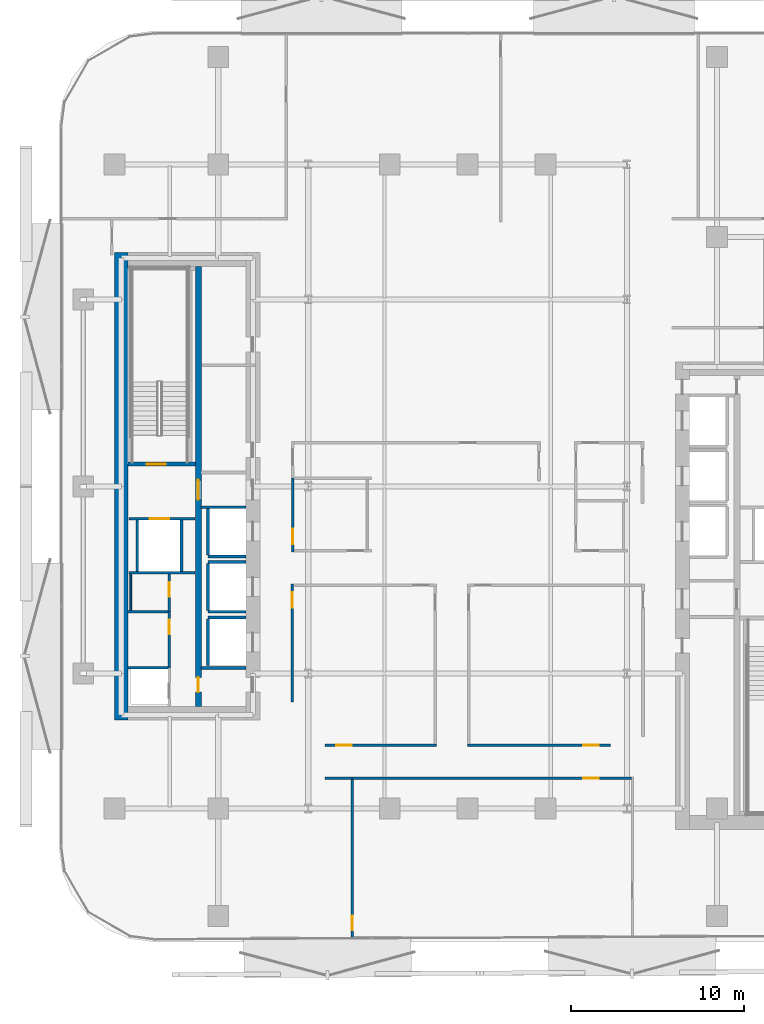
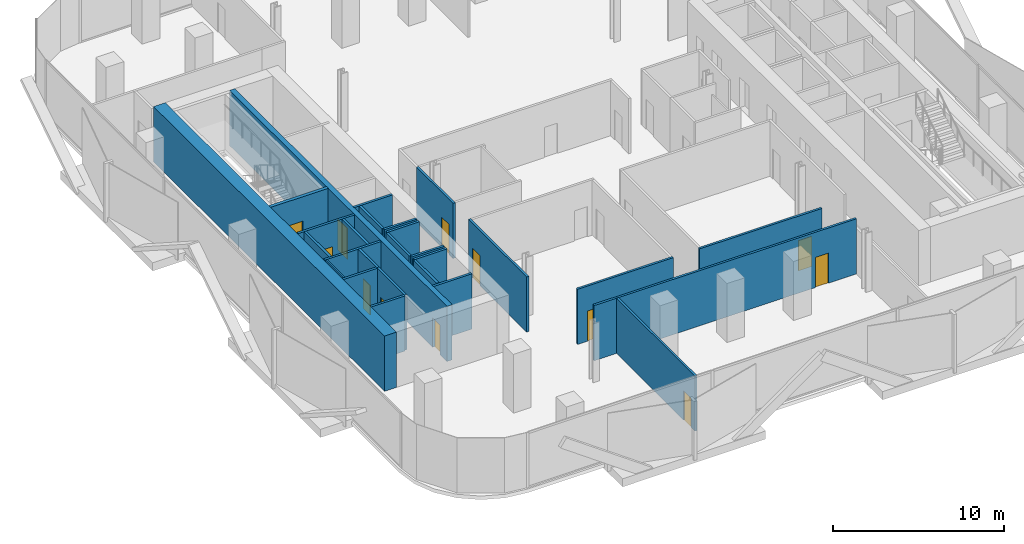
# One storey, part 3 of 15: 28 walls, 12 doors, 12 openings.
"""IFC4 building model written with IfcOpenShell, lengths in metres."""

from ifc_helpers import new_model, si_unit, direction, frame, frame_2d, origin, place, context, subcontext, project, spatial, rectangle, extrude, material, layer, layer_set, type_object, element, fill, save


model = new_model("IFC4")

# Units and contexts
model_context = context("Model", 3, precision=1e-05, world=origin(), true_north=direction((0.0, 1.0)))
body_context = subcontext(model_context, "Body", "Model", "MODEL_VIEW")
ifc_project = project(units=[si_unit("LENGTHUNIT", "METRE"), si_unit("AREAUNIT", "SQUARE_METRE"), si_unit("VOLUMEUNIT", "CUBIC_METRE"), si_unit("PLANEANGLEUNIT", "RADIAN"), si_unit("MASSUNIT", "GRAM", prefix="KILO")], contexts=[model_context])

# Site, building, storey
site_placement = place(None, origin())
site = spatial("IfcSite", under=ifc_project, at=site_placement, CompositionType="ELEMENT")
building_placement = place(site_placement, origin())
building = spatial("IfcBuilding", under=site, at=building_placement, Name="Khairoan Windgate Tower", CompositionType="ELEMENT")
storey_placement = place(building_placement, frame((0.0, 0.0, 126.800048828125)))
storey = spatial("IfcBuildingStorey", under=building, at=storey_placement, Name="L29", CompositionType="ELEMENT", Elevation=126.800048828125)

# Walls
ifc_material_1 = material(Name="Moisture-Resistant Gypsum Partition", Category="gypsum")
ifc_layer_1 = layer(ifc_material_1, 0.10009765625, Name="Moisture-Resistant Gypsum Partition")
ifc_layer_set_1 = layer_set([ifc_layer_1], Name="Moisture-Resistant Gypsum Partition")
wall_type_1 = type_object("IfcWallType", Name="Bathroom Wet-Area Partition Wall", PredefinedType="PARTITIONING", material=ifc_layer_set_1)
wall_1_placement = place(storey_placement, frame((-19.449951171875, -7.14990234375, 0.0), z_axis=(0.0, 0.0, 1.0), x_axis=(0.0, 1.0, 0.0)))
element("IfcWall", 1, at=wall_1_placement, inside=storey, type_object=wall_type_1, Name="L29 Wet Room Side Wall 048", PredefinedType="PARTITIONING", context=body_context, shape_type="SweptSolid", body=[
    extrude(rectangle(XDim=2.08984375, YDim=0.10009765625, at=frame_2d((1.044921875, 0.0))), origin(), (0.0, 0.0, 1.0), 3.93994140625),
])
ifc_material_2 = material(Name="Concrete C40/50", Category="concrete")
ifc_layer_2 = layer(ifc_material_2, 0.159912109375, Name="Concrete C40/50")
ifc_layer_set_2 = layer_set([ifc_layer_2], Name="Concrete C40/50")
wall_type_2 = type_object("IfcWallType", Name="Core and Hoistway Enclosure Wall", PredefinedType="STANDARD", material=ifc_layer_set_2)
wall_2_placement = place(storey_placement, frame((-14.989990234375, -4.0400390625, 0.0), z_axis=(0.0, 0.0, 1.0), x_axis=(1.0, 0.0, 0.0)))
element("IfcWall", 2, at=wall_2_placement, inside=storey, type_object=wall_type_2, Name="L29 Lift PL4 Hoistway Divider S", PredefinedType="STANDARD", context=body_context, shape_type="SweptSolid", body=[
    extrude(rectangle(XDim=2.18994140625, YDim=0.159912109375, at=frame_2d((1.094970703125, 0.0))), origin(), (0.0, 0.0, 1.0), 3.93994140625),
])
wall_3_placement = place(storey_placement, frame((-14.989990234375, -3.949951171875, 0.0), z_axis=(0.0, 0.0, 1.0), x_axis=(0.0, 1.0, 0.0)))
element("IfcWall", 3, at=wall_3_placement, inside=storey, type_object=wall_type_2, Name="L29 Lift PL4 Hoistway Back Wall", PredefinedType="STANDARD", context=body_context, shape_type="SweptSolid", body=[
    extrude(rectangle(XDim=2.699951171875, YDim=0.159912109375, at=frame_2d((1.35009765625, 0.0))), origin(), (0.0, 0.0, 1.0), 3.93994140625),
])
for number, where, z_axis, x_axis, name in (
    (4, (-14.989990234375, -7.239990234375, 0.0), (0.0, 0.0, 1.0), (1.0, 0.0, 0.0), "L29 Lift PL5 Hoistway Divider S"),
    (5, (-14.989990234375, -4.360107421875, 0.0), (0.0, 0.0, 1.0), (1.0, 0.0, 0.0), "L29 Lift PL5 Hoistway Divider N"),
):
    element("IfcWall", number, at=place(storey_placement, frame(where, z_axis=z_axis, x_axis=x_axis)), inside=storey, type_object=wall_type_2, Name=name, PredefinedType="STANDARD", context=body_context, shape_type="SweptSolid", body=[
        extrude(rectangle(XDim=2.18994140625, YDim=0.159912109375, at=frame_2d((1.094970703125, 0.0))), origin(), (0.0, 0.0, 1.0), 3.93994140625),
    ])
wall_4_placement = place(storey_placement, frame((-14.989990234375, -7.14990234375, 0.0), z_axis=(0.0, 0.0, 1.0), x_axis=(0.0, 1.0, 0.0)))
element("IfcWall", 6, at=wall_4_placement, inside=storey, type_object=wall_type_2, Name="L29 Lift PL5 Hoistway Back Wall", PredefinedType="STANDARD", context=body_context, shape_type="SweptSolid", body=[
    extrude(rectangle(XDim=2.699951171875, YDim=0.159912109375, at=frame_2d((1.35009765625, 0.0))), origin(), (0.0, 0.0, 1.0), 3.93994140625),
])
wall_5_placement = place(storey_placement, frame((-14.989990234375, -7.56005859375, 0.0), z_axis=(0.0, 0.0, 1.0), x_axis=(1.0, 0.0, 0.0)))
element("IfcWall", 7, at=wall_5_placement, inside=storey, type_object=wall_type_2, Name="L29 Lift PL6 Hoistway Divider N", PredefinedType="STANDARD", context=body_context, shape_type="SweptSolid", body=[
    extrude(rectangle(XDim=2.18994140625, YDim=0.159912109375, at=frame_2d((1.094970703125, 0.0))), origin(), (0.0, 0.0, 1.0), 3.93994140625),
])
wall_6_placement = place(storey_placement, frame((-14.989990234375, -10.35009765625, 0.0), z_axis=(0.0, 0.0, 1.0), x_axis=(0.0, 1.0, 0.0)))
element("IfcWall", 8, at=wall_6_placement, inside=storey, type_object=wall_type_2, Name="L29 Lift PL6 Hoistway Back Wall", PredefinedType="STANDARD", context=body_context, shape_type="SweptSolid", body=[
    extrude(rectangle(XDim=2.7001953125, YDim=0.159912109375, at=frame_2d((1.35009765625, 0.0))), origin(), (0.0, 0.0, 1.0), 3.93994140625),
])

# Wall, opening, door
wall_7_placement = place(storey_placement, frame((-19.550048828125, -1.860107421875, 0.0), z_axis=(0.0, 0.0, 1.0), x_axis=(1.0, 0.0, 0.0)))
wall_7 = element("IfcWall", 9, at=wall_7_placement, inside=storey, type_object=wall_type_2, Name="L29 Core Shaft Wall SW-FL2-L29", PredefinedType="STANDARD", context=body_context, shape_type="SweptSolid", body=[
    extrude(rectangle(XDim=3.800048828125, YDim=0.159912109375, at=frame_2d((1.89990234375, 0.0))), origin(), (0.0, 0.0, 1.0), 3.93994140625),
])
opening_1_placement = place(wall_7_placement, frame((1.179931640625, 0.0, 0.0)))
opening_1 = element("IfcOpeningElement", 10, at=opening_1_placement, cuts=wall_7, Name="Opening LD-FL", PredefinedType="OPENING", context=body_context, shape_type="SweptSolid", body=[
    extrude(rectangle(XDim=1.14990234375, YDim=2.199951171875, at=frame_2d((0.574951171875, 1.10009765625))), frame((0.0, 0.08984375, 0.0), z_axis=(0.0, -1.0, 0.0), x_axis=(1.0, 0.0, 0.0)), (0.0, 0.0, 1.0), 0.179931640625),
])
ifc_material_3 = material(Name="Steel S355", Category="steel")
door_type_1 = type_object("IfcDoorType", Name="Firefighting Lift Sliding Landing Door LD-FL 1150x2200", OperationType="DOUBLE_DOOR_SLIDING", PredefinedType="DOOR", material=ifc_material_3)
door_1_placement = place(opening_1_placement, origin())
door_1 = element("IfcDoor", 11, at=door_1_placement, inside=storey, type_object=door_type_1, Name="L29 Firefighting Lift FL2 Landing Door", OperationType="DOUBLE_DOOR_SLIDING", OverallHeight=2.199951171875, OverallWidth=1.14990234375, PredefinedType="DOOR", context=body_context, shape_type="SweptSolid", body=[
    extrude(rectangle(XDim=1.14990234375, YDim=2.199951171875, at=frame_2d((0.574951171875, 1.10009765625))), frame((0.0, 0.02490234375, 0.0), z_axis=(0.0, -1.0, 0.0), x_axis=(1.0, 0.0, 0.0)), (0.0, 0.0, 1.0), 0.050048828125),
])
fill(opening_1, door_1)

# Walls
wall_8_placement = place(storey_placement, frame((-19.550048828125, -4.97998046875, 0.0), z_axis=(0.0, 0.0, 1.0), x_axis=(1.0, 0.0, 0.0)))
element("IfcWall", 12, at=wall_8_placement, inside=storey, type_object=wall_type_2, Name="L29 Core Shaft Wall SW-FL2B-L29", PredefinedType="STANDARD", context=body_context, shape_type="SweptSolid", body=[
    extrude(rectangle(XDim=3.800048828125, YDim=0.159912109375, at=frame_2d((1.89990234375, 0.0))), origin(), (0.0, 0.0, 1.0), 3.93994140625),
])
for number, where, z_axis, x_axis, name in (
    (13, (-19.080078125, -4.89990234375, 0.0), (0.0, 0.0, 1.0), (0.0, 1.0, 0.0), "L29 Core Shaft Wall SW-FL2W-L29"),
    (14, (-16.52001953125, -4.89990234375, 0.0), (0.0, 0.0, 1.0), (0.0, 1.0, 0.0), "L29 Core Shaft Wall SW-FL2E-L29"),
):
    element("IfcWall", number, at=place(storey_placement, frame(where, z_axis=z_axis, x_axis=x_axis)), inside=storey, type_object=wall_type_2, Name=name, PredefinedType="STANDARD", context=body_context, shape_type="SweptSolid", body=[
        extrude(rectangle(XDim=2.9599609375, YDim=0.159912109375, at=frame_2d((1.47998046875, 0.0))), origin(), (0.0, 0.0, 1.0), 3.93994140625),
    ])
for number, where, z_axis, x_axis, name in (
    (15, (-15.39990234375, -1.199951171875, 0.0), (0.0, 0.0, 1.0), (1.0, 0.0, 0.0), "L29 Core Shaft Wall SW-WV2-L29"),
    (16, (-15.39990234375, -10.47998046875, 0.0), (0.0, 0.0, 1.0), (1.0, 0.0, 0.0), "L29 Core Shaft Wall SW-WSV-L29"),
):
    element("IfcWall", number, at=place(storey_placement, frame(where, z_axis=z_axis, x_axis=x_axis)), inside=storey, type_object=wall_type_2, Name=name, PredefinedType="STANDARD", context=body_context, shape_type="SweptSolid", body=[
        extrude(rectangle(XDim=2.599853515625, YDim=0.159912109375, at=frame_2d((1.2998046875, 0.0))), origin(), (0.0, 0.0, 1.0), 3.93994140625),
    ])

# Wall, opening, door
ifc_material_4 = material(Name="Acoustic Fire-Rated Gypsum Partition", Category="gypsum")
ifc_layer_3 = layer(ifc_material_4, 0.139892578125, Name="Acoustic Fire-Rated Gypsum Partition")
ifc_layer_set_3 = layer_set([ifc_layer_3], Name="Acoustic Fire-Rated Gypsum Partition")
wall_type_3 = type_object("IfcWallType", Name="Inter-Tenancy Compartment Wall", PredefinedType="PARTITIONING", material=ifc_layer_set_3)
wall_9_placement = place(storey_placement, frame((-6.6640625, -26.09912109375, 0.0), z_axis=(0.0, 0.0, 1.0), x_axis=(0.0, 1.0, 0.0)))
wall_9 = element("IfcWall", 17, at=wall_9_placement, inside=storey, type_object=wall_type_3, Name="L29 Interior Partition 044", PredefinedType="PARTITIONING", context=body_context, shape_type="SweptSolid", body=[
    extrude(rectangle(XDim=9.1640625, YDim=0.139892578125, at=frame_2d((4.58203125, 0.0))), origin(), (0.0, 0.0, 1.0), 3.93994140625),
])
opening_2_placement = place(wall_9_placement, frame((0.4599609375, 0.0, 0.0)))
opening_2 = element("IfcOpeningElement", 18, at=opening_2_placement, cuts=wall_9, Name="Opening FD-SRV", PredefinedType="OPENING", context=body_context, shape_type="SweptSolid", body=[
    extrude(rectangle(XDim=0.85009765625, YDim=2.10009765625, at=frame_2d((0.425048828125, 1.050048828125))), frame((0.0, 0.079833984375, 0.0), z_axis=(0.0, -1.0, 0.0), x_axis=(1.0, 0.0, 0.0)), (0.0, 0.0, 1.0), 0.159912109375),
])
ifc_material_5 = material(Name="Steel S355", Category="steel")
door_type_2 = type_object("IfcDoorType", Name="Core Service and Riser Fire Door FD-SRV 850x2100", OperationType="NOTDEFINED", PredefinedType="DOOR", material=ifc_material_5)
door_2_placement = place(opening_2_placement, origin())
door_2 = element("IfcDoor", 19, at=door_2_placement, inside=storey, type_object=door_type_2, Name="L29 L29-44-L29-45 Door", OperationType="SINGLE_SWING_LEFT", OverallHeight=2.10009765625, OverallWidth=0.85009765625, PredefinedType="DOOR", context=body_context, shape_type="SweptSolid", body=[
    extrude(rectangle(XDim=0.85009765625, YDim=2.10009765625, at=frame_2d((0.425048828125, 1.050048828125))), frame((0.0, 0.02490234375, 0.0), z_axis=(0.0, -1.0, 0.0), x_axis=(1.0, 0.0, 0.0)), (0.0, 0.0, 1.0), 0.050048828125),
])
fill(opening_2, door_2)

ifc_material_6 = material(Name="Concrete C40/50", Category="concrete")
ifc_layer_4 = layer(ifc_material_6, 0.159912109375, Name="Concrete C40/50")
ifc_layer_set_4 = layer_set([ifc_layer_4], Name="Concrete C40/50")
wall_type_4 = type_object("IfcWallType", Name="Plant and Refuge Compartment Wall", PredefinedType="PARTITIONING", material=ifc_layer_set_4)
wall_10_placement = place(storey_placement, frame((-17.22998046875, -7.22998046875, 0.0), z_axis=(0.0, 0.0, 1.0), x_axis=(0.0, 1.0, 0.0)))
wall_10 = element("IfcWall", 20, at=wall_10_placement, inside=storey, type_object=wall_type_4, Name="L29 Interior Partition 002", PredefinedType="PARTITIONING", context=body_context, shape_type="SweptSolid", body=[
    extrude(rectangle(XDim=2.169921875, YDim=0.159912109375, at=frame_2d((1.0849609375, 0.0))), origin(), (0.0, 0.0, 1.0), 3.93994140625),
])
opening_3_placement = place(wall_10_placement, frame((0.860107421875, 0.0, 0.0)))
opening_3 = element("IfcOpeningElement", 21, at=opening_3_placement, cuts=wall_10, Name="Opening FD-SRV", PredefinedType="OPENING", context=body_context, shape_type="SweptSolid", body=[
    extrude(rectangle(XDim=0.85009765625, YDim=2.10009765625, at=frame_2d((0.425048828125, 1.050048828125))), frame((0.0, 0.08984375, 0.0), z_axis=(0.0, -1.0, 0.0), x_axis=(1.0, 0.0, 0.0)), (0.0, 0.0, 1.0), 0.179931640625),
])
door_3_placement = place(opening_3_placement, origin())
door_3 = element("IfcDoor", 22, at=door_3_placement, inside=storey, type_object=door_type_2, Name="L29 L29-04-L29-06 Door", OperationType="SINGLE_SWING_RIGHT", OverallHeight=2.10009765625, OverallWidth=0.85009765625, PredefinedType="DOOR", context=body_context, shape_type="SweptSolid", body=[
    extrude(rectangle(XDim=0.85009765625, YDim=2.10009765625, at=frame_2d((0.425048828125, 1.050048828125))), frame((0.0, 0.02490234375, 0.0), z_axis=(0.0, -1.0, 0.0), x_axis=(1.0, 0.0, 0.0)), (0.0, 0.0, 1.0), 0.050048828125),
])
fill(opening_3, door_3)

wall_11_placement = place(storey_placement, frame((-17.22998046875, -10.469970703125, 0.0), z_axis=(0.0, 0.0, 1.0), x_axis=(0.0, 1.0, 0.0)))
wall_11 = element("IfcWall", 23, at=wall_11_placement, inside=storey, type_object=wall_type_4, Name="L29 Interior Partition 003", PredefinedType="PARTITIONING", context=body_context, shape_type="SweptSolid", body=[
    extrude(rectangle(XDim=3.239990234375, YDim=0.159912109375, at=frame_2d((1.6201171875, 0.0))), origin(), (0.0, 0.0, 1.0), 3.93994140625),
])
opening_4_placement = place(wall_11_placement, frame((1.929931640625, 0.0, 0.0)))
opening_4 = element("IfcOpeningElement", 24, at=opening_4_placement, cuts=wall_11, Name="Opening FD-SRV", PredefinedType="OPENING", context=body_context, shape_type="SweptSolid", body=[
    extrude(rectangle(XDim=0.85009765625, YDim=2.10009765625, at=frame_2d((0.425048828125, 1.050048828125))), frame((0.0, 0.08984375, 0.0), z_axis=(0.0, -1.0, 0.0), x_axis=(1.0, 0.0, 0.0)), (0.0, 0.0, 1.0), 0.179931640625),
])
door_4_placement = place(opening_4_placement, origin())
door_4 = element("IfcDoor", 25, at=door_4_placement, inside=storey, type_object=door_type_2, Name="L29 L29-04-L29-07 Door", OperationType="SINGLE_SWING_LEFT", OverallHeight=2.10009765625, OverallWidth=0.85009765625, PredefinedType="DOOR", context=body_context, shape_type="SweptSolid", body=[
    extrude(rectangle(XDim=0.85009765625, YDim=2.10009765625, at=frame_2d((0.425048828125, 1.050048828125))), frame((0.0, 0.02490234375, 0.0), z_axis=(0.0, -1.0, 0.0), x_axis=(1.0, 0.0, 0.0)), (0.0, 0.0, 1.0), 0.050048828125),
])
fill(opening_4, door_4)

# Walls
for number, where, z_axis, x_axis, name in (
    (26, (-19.60009765625, -10.469970703125, 0.0), (0.0, 0.0, 1.0), (1.0, 0.0, 0.0), "L29 Interior Partition 004"),
    (27, (-19.60009765625, -7.22998046875, 0.0), (0.0, 0.0, 1.0), (1.0, 0.0, 0.0), "L29 Interior Partition 005"),
):
    element("IfcWall", number, at=place(storey_placement, frame(where, z_axis=z_axis, x_axis=x_axis)), inside=storey, type_object=wall_type_4, Name=name, PredefinedType="PARTITIONING", context=body_context, shape_type="SweptSolid", body=[
        extrude(rectangle(XDim=2.2900390625, YDim=0.159912109375, at=frame_2d((1.14501953125, 0.0))), origin(), (0.0, 0.0, 1.0), 3.93994140625),
    ])

# Wall, opening, door
ifc_material_7 = material(Name="Acoustic Fire-Rated Gypsum Partition", Category="gypsum")
ifc_layer_5 = layer(ifc_material_7, 0.14990234375, Name="Acoustic Fire-Rated Gypsum Partition")
ifc_layer_set_5 = layer_set([ifc_layer_5], Name="Acoustic Fire-Rated Gypsum Partition")
wall_type_5 = type_object("IfcWallType", Name="Rated Corridor Partition Wall", PredefinedType="PARTITIONING", material=ifc_layer_set_5)
wall_12_placement = place(storey_placement, frame((-10.10009765625, -3.794921875, 0.0), z_axis=(0.0, 0.0, 1.0), x_axis=(0.0, 1.0, 0.0)))
wall_12 = element("IfcWall", 28, at=wall_12_placement, inside=storey, type_object=wall_type_5, Name="L29 Interior Partition 013", PredefinedType="PARTITIONING", context=body_context, shape_type="SweptSolid", body=[
    extrude(rectangle(XDim=4.27490234375, YDim=0.14990234375, at=frame_2d((2.137451171875, 0.0))), origin(), (0.0, 0.0, 1.0), 3.93994140625),
])
opening_5_placement = place(wall_12_placement, frame((0.4599609375, 0.0, 0.0)))
opening_5 = element("IfcOpeningElement", 29, at=opening_5_placement, cuts=wall_12, Name="Opening FD-ENT", PredefinedType="OPENING", context=body_context, shape_type="SweptSolid", body=[
    extrude(rectangle(XDim=0.89990234375, YDim=2.14990234375, at=frame_2d((0.449951171875, 1.074951171875))), frame((0.0, 0.0849609375, 0.0), z_axis=(0.0, -1.0, 0.0), x_axis=(1.0, 0.0, 0.0)), (0.0, 0.0, 1.0), 0.169921875),
])
ifc_material_8 = material(Name="Timber Fire-Rated Core", Category="wood")
door_type_3 = type_object("IfcDoorType", Name="Unit and Office Fire Entrance Door FD-ENT 900x2150", OperationType="NOTDEFINED", PredefinedType="DOOR", material=ifc_material_8)
door_5_placement = place(opening_5_placement, origin())
door_5 = element("IfcDoor", 30, at=door_5_placement, inside=storey, type_object=door_type_3, Name="L29 L29-28-L29-49 Door", OperationType="SINGLE_SWING_RIGHT", OverallHeight=2.14990234375, OverallWidth=0.89990234375, PredefinedType="DOOR", context=body_context, shape_type="SweptSolid", body=[
    extrude(rectangle(XDim=0.89990234375, YDim=2.14990234375, at=frame_2d((0.449951171875, 1.074951171875))), frame((0.0, 0.02490234375, 0.0), z_axis=(0.0, -1.0, 0.0), x_axis=(1.0, 0.0, 0.0)), (0.0, 0.0, 1.0), 0.050048828125),
])
fill(opening_5, door_5)

wall_13_placement = place(storey_placement, frame((-10.125, -12.43994140625, 0.0), z_axis=(0.0, 0.0, 1.0), x_axis=(0.0, 1.0, 0.0)))
wall_13 = element("IfcWall", 31, at=wall_13_placement, inside=storey, type_object=wall_type_5, Name="L29 Interior Partition 015", PredefinedType="PARTITIONING", context=body_context, shape_type="SweptSolid", body=[
    extrude(rectangle(XDim=6.800048828125, YDim=0.14990234375, at=frame_2d((3.39990234375, 0.0))), origin(), (0.0, 0.0, 1.0), 3.93994140625),
])
opening_6_placement = place(wall_13_placement, frame((5.43994140625, 0.0, 0.0)))
opening_6 = element("IfcOpeningElement", 32, at=opening_6_placement, cuts=wall_13, Name="Opening FD-ENT", PredefinedType="OPENING", context=body_context, shape_type="SweptSolid", body=[
    extrude(rectangle(XDim=0.89990234375, YDim=2.14990234375, at=frame_2d((0.449951171875, 1.074951171875))), frame((0.0, 0.0849609375, 0.0), z_axis=(0.0, -1.0, 0.0), x_axis=(1.0, 0.0, 0.0)), (0.0, 0.0, 1.0), 0.169921875),
])
door_6_placement = place(opening_6_placement, origin())
door_6 = element("IfcDoor", 33, at=door_6_placement, inside=storey, type_object=door_type_3, Name="L29 L29-28-L29-51 Door", OperationType="SINGLE_SWING_RIGHT", OverallHeight=2.14990234375, OverallWidth=0.89990234375, PredefinedType="DOOR", context=body_context, shape_type="SweptSolid", body=[
    extrude(rectangle(XDim=0.89990234375, YDim=2.14990234375, at=frame_2d((0.449951171875, 1.074951171875))), frame((0.0, 0.02490234375, 0.0), z_axis=(0.0, -1.0, 0.0), x_axis=(1.0, 0.0, 0.0)), (0.0, 0.0, 1.0), 0.050048828125),
])
fill(opening_6, door_6)

# Wall
wall_14_placement = place(storey_placement, frame((-8.239990234375, -16.860107421875, 0.0), z_axis=(0.0, 0.0, 1.0), x_axis=(1.0, 0.0, 0.0)))
element("IfcWall", 34, at=wall_14_placement, inside=storey, type_object=wall_type_5, Name="L29 Interior Partition 031", PredefinedType="PARTITIONING", context=body_context, shape_type="SweptSolid", body=[
    extrude(rectangle(XDim=1.575927734375, YDim=0.14990234375, at=frame_2d((0.7880859375, 0.0))), origin(), (0.0, 0.0, 1.0), 3.93994140625),
])

# Wall, opening, door
wall_15_placement = place(storey_placement, frame((-6.6640625, -16.860107421875, 0.0), z_axis=(0.0, 0.0, 1.0), x_axis=(1.0, 0.0, 0.0)))
wall_15 = element("IfcWall", 35, at=wall_15_placement, inside=storey, type_object=wall_type_5, Name="L29 Interior Partition 032", PredefinedType="PARTITIONING", context=body_context, shape_type="SweptSolid", body=[
    extrude(rectangle(XDim=16.114013671875, YDim=0.14990234375, at=frame_2d((8.05712890625, 0.0))), origin(), (0.0, 0.0, 1.0), 3.93994140625),
])
opening_7_placement = place(wall_15_placement, frame((13.3427734375, 0.0, 0.0)))
opening_7 = element("IfcOpeningElement", 36, at=opening_7_placement, cuts=wall_15, Name="Opening FD-ENT", PredefinedType="OPENING", context=body_context, shape_type="SweptSolid", body=[
    extrude(rectangle(XDim=0.89990234375, YDim=2.14990234375, at=frame_2d((0.449951171875, 1.074951171875))), frame((0.0, 0.0849609375, 0.0), z_axis=(0.0, -1.0, 0.0), x_axis=(1.0, 0.0, 0.0)), (0.0, 0.0, 1.0), 0.169921875),
])
door_7_placement = place(opening_7_placement, origin())
door_7 = element("IfcDoor", 37, at=door_7_placement, inside=storey, type_object=door_type_3, Name="L29 L29-35-L29-45 Door", OperationType="SINGLE_SWING_LEFT", OverallHeight=2.14990234375, OverallWidth=0.89990234375, PredefinedType="DOOR", context=body_context, shape_type="SweptSolid", body=[
    extrude(rectangle(XDim=0.89990234375, YDim=2.14990234375, at=frame_2d((0.449951171875, 1.074951171875))), frame((0.0, 0.02490234375, 0.0), z_axis=(0.0, -1.0, 0.0), x_axis=(1.0, 0.0, 0.0)), (0.0, 0.0, 1.0), 0.050048828125),
])
fill(opening_7, door_7)

wall_16_placement = place(storey_placement, frame((-8.239990234375, -14.93994140625, 0.0), z_axis=(0.0, 0.0, 1.0), x_axis=(1.0, 0.0, 0.0)))
wall_16 = element("IfcWall", 38, at=wall_16_placement, inside=storey, type_object=wall_type_5, Name="L29 Interior Partition 033", PredefinedType="PARTITIONING", context=body_context, shape_type="SweptSolid", body=[
    extrude(rectangle(XDim=6.455078125, YDim=0.14990234375, at=frame_2d((3.2275390625, 0.0))), origin(), (0.0, 0.0, 1.0), 3.93994140625),
])
opening_8_placement = place(wall_16_placement, frame((0.66162109375, 0.0, 0.0)))
opening_8 = element("IfcOpeningElement", 39, at=opening_8_placement, cuts=wall_16, Name="Opening FD-ENT", PredefinedType="OPENING", context=body_context, shape_type="SweptSolid", body=[
    extrude(rectangle(XDim=0.89990234375, YDim=2.14990234375, at=frame_2d((0.449951171875, 1.074951171875))), frame((0.0, 0.0849609375, 0.0), z_axis=(0.0, -1.0, 0.0), x_axis=(1.0, 0.0, 0.0)), (0.0, 0.0, 1.0), 0.169921875),
])
door_8_placement = place(opening_8_placement, origin())
door_8 = element("IfcDoor", 40, at=door_8_placement, inside=storey, type_object=door_type_3, Name="L29 L29-35-L29-51 Door", OperationType="SINGLE_SWING_RIGHT", OverallHeight=2.14990234375, OverallWidth=0.89990234375, PredefinedType="DOOR", context=body_context, shape_type="SweptSolid", body=[
    extrude(rectangle(XDim=0.89990234375, YDim=2.14990234375, at=frame_2d((0.449951171875, 1.074951171875))), frame((0.0, 0.02490234375, 0.0), z_axis=(0.0, -1.0, 0.0), x_axis=(1.0, 0.0, 0.0)), (0.0, 0.0, 1.0), 0.050048828125),
])
fill(opening_8, door_8)

wall_17_placement = place(storey_placement, frame((-0.014892578125, -14.93994140625, 0.0), z_axis=(0.0, 0.0, 1.0), x_axis=(1.0, 0.0, 0.0)))
wall_17 = element("IfcWall", 41, at=wall_17_placement, inside=storey, type_object=wall_type_5, Name="L29 Interior Partition 034", PredefinedType="PARTITIONING", context=body_context, shape_type="SweptSolid", body=[
    extrude(rectangle(XDim=8.2548828125, YDim=0.14990234375, at=frame_2d((4.12744140625, 0.0))), origin(), (0.0, 0.0, 1.0), 3.93994140625),
])
opening_9_placement = place(wall_17_placement, frame((6.69384765625, 0.0, 0.0)))
opening_9 = element("IfcOpeningElement", 42, at=opening_9_placement, cuts=wall_17, Name="Opening FD-ENT", PredefinedType="OPENING", context=body_context, shape_type="SweptSolid", body=[
    extrude(rectangle(XDim=0.89990234375, YDim=2.14990234375, at=frame_2d((0.449951171875, 1.074951171875))), frame((0.0, 0.0849609375, 0.0), z_axis=(0.0, -1.0, 0.0), x_axis=(1.0, 0.0, 0.0)), (0.0, 0.0, 1.0), 0.169921875),
])
door_9_placement = place(opening_9_placement, origin())
door_9 = element("IfcDoor", 43, at=door_9_placement, inside=storey, type_object=door_type_3, Name="L29 L29-35-L29-52 Door", OperationType="SINGLE_SWING_LEFT", OverallHeight=2.14990234375, OverallWidth=0.89990234375, PredefinedType="DOOR", context=body_context, shape_type="SweptSolid", body=[
    extrude(rectangle(XDim=0.89990234375, YDim=2.14990234375, at=frame_2d((0.449951171875, 1.074951171875))), frame((0.0, 0.02490234375, 0.0), z_axis=(0.0, -1.0, 0.0), x_axis=(1.0, 0.0, 0.0)), (0.0, 0.0, 1.0), 0.050048828125),
])
fill(opening_9, door_9)

# Wall
ifc_material_9 = material(Name="Concrete C70/85", Category="concrete")
ifc_layer_6 = layer(ifc_material_9, 0.800048828125, Name="Concrete C70/85")
ifc_layer_set_6 = layer_set([ifc_layer_6], Name="Concrete C70/85")
wall_type_6 = type_object("IfcWallType", Name="Shear Wall CW-W1 800mm", PredefinedType="SHEAR", material=ifc_layer_set_6)
wall_18_placement = place(storey_placement, frame((-20.0, -13.5, 0.0), z_axis=(0.0, 0.0, 1.0), x_axis=(0.0, 1.0, 0.0)))
element("IfcWall", 44, at=wall_18_placement, inside=storey, type_object=wall_type_6, Name="W Core West Shear Wall L29", PredefinedType="SHEAR", context=body_context, shape_type="SweptSolid", body=[
    extrude(rectangle(XDim=27.0, YDim=0.800048828125, at=frame_2d((13.5, 0.0))), origin(), (0.0, 0.0, 1.0), 3.93994140625),
])

# Wall, openings, doors
ifc_material_10 = material(Name="Concrete C60/75", Category="concrete")
ifc_layer_7 = layer(ifc_material_10, 0.35009765625, Name="Concrete C60/75")
ifc_layer_set_7 = layer_set([ifc_layer_7], Name="Concrete C60/75")
wall_type_7 = type_object("IfcWallType", Name="Shear Wall SW-1 350mm", PredefinedType="SHEAR", material=ifc_layer_set_7)
wall_19_placement = place(storey_placement, frame((-15.550048828125, -12.699951171875, 0.0), z_axis=(0.0, 0.0, 1.0), x_axis=(0.0, 1.0, 0.0)))
wall_19 = element("IfcWall", 45, at=wall_19_placement, inside=storey, type_object=wall_type_7, Name="W Core Spine Shear Wall L29", PredefinedType="SHEAR", context=body_context, shape_type="SweptSolid", body=[
    extrude(rectangle(XDim=25.39990234375, YDim=0.35009765625, at=frame_2d((12.699951171875, 0.0))), origin(), (0.0, 0.0, 1.0), 3.93994140625),
])
opening_10_placement = place(wall_19_placement, frame((11.925048828125, 0.0, 0.0)))
opening_10 = element("IfcOpeningElement", 46, at=opening_10_placement, cuts=wall_19, Name="Opening FD-FFL", PredefinedType="OPENING", context=body_context, shape_type="SweptSolid", body=[
    extrude(rectangle(XDim=1.14990234375, YDim=2.199951171875, at=frame_2d((0.574951171875, 1.10009765625))), frame((0.0, 0.18505859375, 0.0), z_axis=(0.0, -1.0, 0.0), x_axis=(1.0, 0.0, 0.0)), (0.0, 0.0, 1.0), 0.3701171875),
])
opening_11_placement = place(wall_19_placement, frame((0.824951171875, 0.0, 0.0)))
opening_11 = element("IfcOpeningElement", 47, at=opening_11_placement, cuts=wall_19, Name="Opening FD-SRV", PredefinedType="OPENING", context=body_context, shape_type="SweptSolid", body=[
    extrude(rectangle(XDim=0.85009765625, YDim=2.10009765625, at=frame_2d((0.425048828125, 1.050048828125))), frame((0.0, 0.18505859375, 0.0), z_axis=(0.0, -1.0, 0.0), x_axis=(1.0, 0.0, 0.0)), (0.0, 0.0, 1.0), 0.3701171875),
])
door_10_placement = place(opening_11_placement, origin())
door_10 = element("IfcDoor", 48, at=door_10_placement, inside=storey, type_object=door_type_2, Name="L29 West Core Service Passage Inner Door", OperationType="SINGLE_SWING_RIGHT", OverallHeight=2.10009765625, OverallWidth=0.85009765625, PredefinedType="DOOR", context=body_context, shape_type="SweptSolid", body=[
    extrude(rectangle(XDim=0.85009765625, YDim=2.10009765625, at=frame_2d((0.425048828125, 1.050048828125))), frame((0.0, 0.02490234375, 0.0), z_axis=(0.0, -1.0, 0.0), x_axis=(1.0, 0.0, 0.0)), (0.0, 0.0, 1.0), 0.050048828125),
])
fill(opening_11, door_10)
ifc_material_11 = material(Name="Steel S355", Category="steel")
door_type_4 = type_object("IfcDoorType", Name="Firefighting Lobby Fire Door FD-FFL 1150x2200", OperationType="NOTDEFINED", PredefinedType="DOOR", material=ifc_material_11)
door_11_placement = place(opening_10_placement, origin())
door_11 = element("IfcDoor", 49, at=door_11_placement, inside=storey, type_object=door_type_4, Name="L29 West Firefighting Lobby Fire Door", OperationType="SINGLE_SWING_RIGHT", OverallHeight=2.199951171875, OverallWidth=1.14990234375, PredefinedType="DOOR", context=body_context, shape_type="SweptSolid", body=[
    extrude(rectangle(XDim=1.14990234375, YDim=2.199951171875, at=frame_2d((0.574951171875, 1.10009765625))), frame((0.0, 0.02490234375, 0.0), z_axis=(0.0, -1.0, 0.0), x_axis=(1.0, 0.0, 0.0)), (0.0, 0.0, 1.0), 0.050048828125),
])
fill(opening_10, door_11)

# Wall, opening, door
ifc_material_12 = material(Name="Concrete C50/60", Category="concrete")
ifc_layer_8 = layer(ifc_material_12, 0.219970703125, Name="Concrete C50/60")
ifc_layer_set_8 = layer_set([ifc_layer_8], Name="Concrete C50/60")
wall_type_8 = type_object("IfcWallType", Name="Shear Wall SW-ST 220mm", PredefinedType="SHEAR", material=ifc_layer_set_8)
wall_20_placement = place(storey_placement, frame((-19.6201171875, 1.2900390625, 0.0), z_axis=(0.0, 0.0, 1.0), x_axis=(1.0, 0.0, 0.0)))
wall_20 = element("IfcWall", 50, at=wall_20_placement, inside=storey, type_object=wall_type_8, Name="L29 Stair ST2 South Bearing Wall", PredefinedType="SHEAR", context=body_context, shape_type="SweptSolid", body=[
    extrude(rectangle(XDim=3.9150390625, YDim=0.219970703125, at=frame_2d((1.95751953125, 0.0))), origin(), (0.0, 0.0, 1.0), 3.93994140625),
])
opening_12_placement = place(wall_20_placement, frame((1.080078125, 0.0, 0.0)))
opening_12 = element("IfcOpeningElement", 51, at=opening_12_placement, cuts=wall_20, Name="Opening FD-ST", PredefinedType="OPENING", context=body_context, shape_type="SweptSolid", body=[
    extrude(rectangle(XDim=1.10009765625, YDim=2.199951171875, at=frame_2d((0.550048828125, 1.10009765625))), frame((0.0, 0.119873046875, 0.0), z_axis=(0.0, -1.0, 0.0), x_axis=(1.0, 0.0, 0.0)), (0.0, 0.0, 1.0), 0.239990234375),
])
ifc_material_13 = material(Name="Steel S355", Category="steel")
door_type_5 = type_object("IfcDoorType", Name="Smokeproof Stair Fire Door FD-ST 1100x2200", OperationType="NOTDEFINED", PredefinedType="DOOR", material=ifc_material_13)
door_12_placement = place(opening_12_placement, origin())
door_12 = element("IfcDoor", 52, at=door_12_placement, inside=storey, type_object=door_type_5, Name="L29 Stair ST2 Fire Door", OperationType="SINGLE_SWING_LEFT", OverallHeight=2.199951171875, OverallWidth=1.10009765625, PredefinedType="DOOR", context=body_context, shape_type="SweptSolid", body=[
    extrude(rectangle(XDim=1.10009765625, YDim=2.199951171875, at=frame_2d((0.550048828125, 1.10009765625))), frame((0.0, 0.02490234375, 0.0), z_axis=(0.0, -1.0, 0.0), x_axis=(1.0, 0.0, 0.0)), (0.0, 0.0, 1.0), 0.050048828125),
])
fill(opening_12, door_12)

save(model, "model.ifc")
